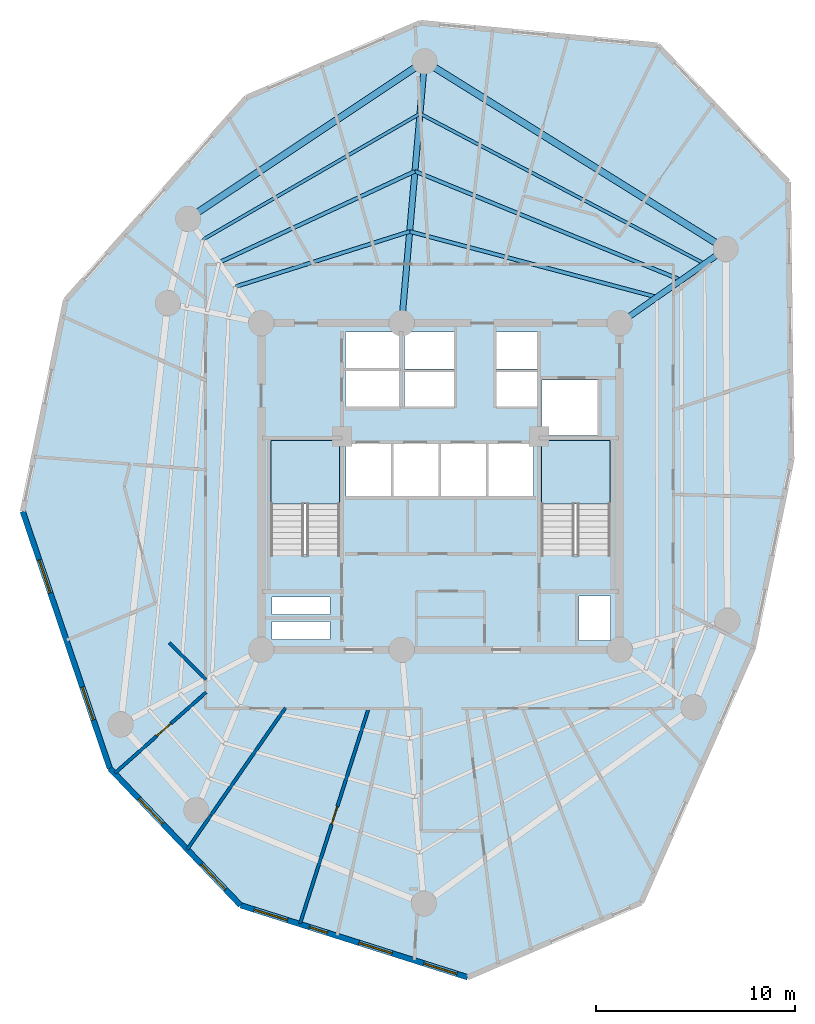
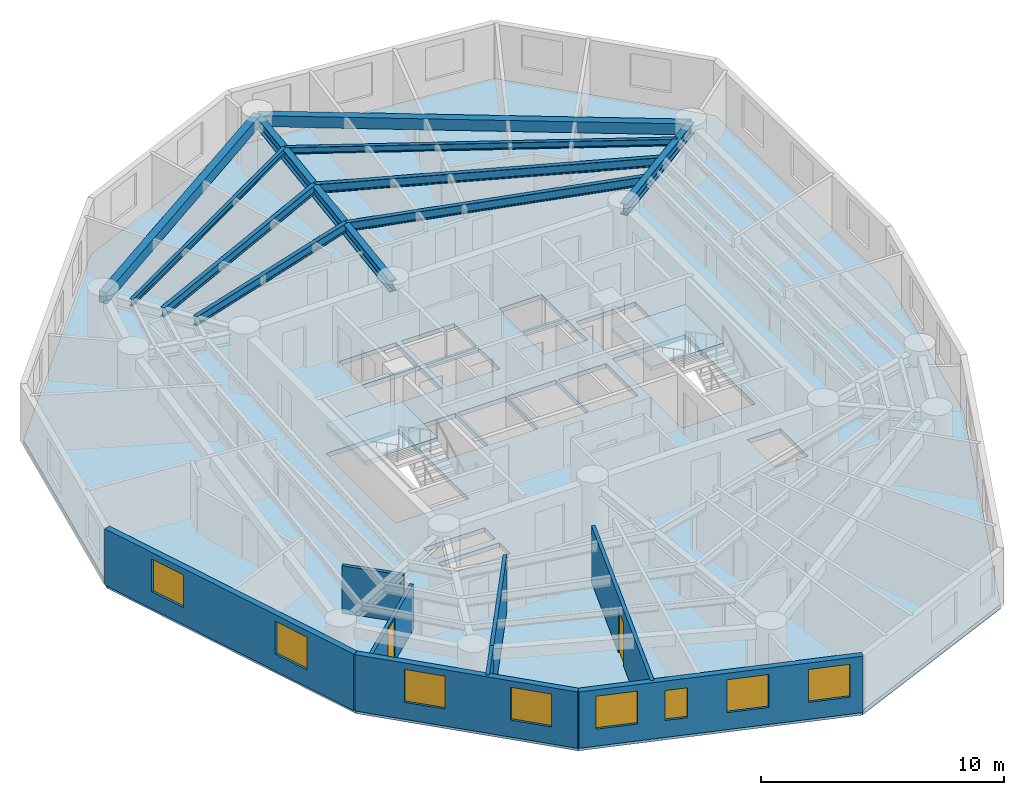
# One storey, part 2 of 8: 10 beams, 8 walls, 8 windows, 3 slabs, 2 doors, 10 openings, 2 elements without a shape of their own.
"""IFC4 building model written with IfcOpenShell, lengths in metres."""

import ifcopenshell
import ifcopenshell.guid

model = None  # the IFC model being written
_history = None  # IfcOwnerHistory: only IFC2X3 demands one
_inside = {}  # id of a spatial element -> (the spatial element, [elements in it])
_under = {}  # id of a project, library or spatial element -> (it, [spatial elements below it])
_declared = {}  # id of a project -> (the project, [libraries it declares])
_typed = {}  # id of a type object -> (the type object, [elements of that type])
_made_of = {}  # id of a material, layer set ... -> (it, [elements and type objects made of it])


def new_model(schema):
    """Start an empty IFC model of exactly this schema.

    Asked for "IFC4X3", IfcOpenShell would pick the latest addendum, in which some entities
    have other attributes; the version numbers below select the first issue.
    IFC2X3 requires an IfcOwnerHistory on every rooted entity: one is made here for all.
    """
    global model, _history
    if schema == "IFC4X3":
        model = ifcopenshell.file(schema_version=(4, 3, 0, 0))
    else:
        model = ifcopenshell.file(schema=schema)
    _inside.clear()
    _under.clear()
    _declared.clear()
    _typed.clear()
    _made_of.clear()
    _history = None
    if model.schema == "IFC2X3":
        org = make("IfcOrganization", Name="unknown")
        user = make(
            "IfcPersonAndOrganization",
            ThePerson=make("IfcPerson", FamilyName="unknown"),
            TheOrganization=org,
        )
        app = make(
            "IfcApplication",
            ApplicationDeveloper=org,
            Version="unknown",
            ApplicationFullName="unknown",
            ApplicationIdentifier="unknown",
        )
        _history = make(
            "IfcOwnerHistory",
            OwningUser=user,
            OwningApplication=app,
            ChangeAction="ADDED",
            CreationDate=0,
        )
    return model


def make(cls, **values):
    """One entity of the class cls with the attributes given. An attribute that is None is left unset."""
    return model.create_entity(
        cls, **{name: value for name, value in values.items() if value is not None}
    )


def rooted(cls, **values):
    """An entity with a GlobalId (a new one), such as an element, a storey or a relation."""
    return make(cls, GlobalId=ifcopenshell.guid.new(), OwnerHistory=_history, **values)


def si_unit(unit_type, name, prefix=None):
    """IfcSIUnit, for example si_unit("LENGTHUNIT", "METRE", prefix="MILLI")."""
    return make("IfcSIUnit", UnitType=unit_type, Prefix=prefix, Name=name)


def assignment(units):
    """IfcUnitAssignment: the units of a project."""
    return None if units is None else make("IfcUnitAssignment", Units=units)


def point(xyz):
    """IfcCartesianPoint."""
    return None if xyz is None else make("IfcCartesianPoint", Coordinates=xyz)


def direction(xyz):
    """IfcDirection."""
    return None if xyz is None else make("IfcDirection", DirectionRatios=xyz)


def frame(location, z_axis=None, x_axis=None):
    """IfcAxis2Placement3D, a coordinate frame: its origin and axes. An axis left out is left unset."""
    return make(
        "IfcAxis2Placement3D",
        Location=point(location),
        Axis=direction(z_axis),
        RefDirection=direction(x_axis),
    )


def frame_2d(location, x_axis=None):
    """IfcAxis2Placement2D, a coordinate frame in the plane: its origin and x axis."""
    return make(
        "IfcAxis2Placement2D", Location=point(location), RefDirection=direction(x_axis)
    )


def origin():
    """The frame at (0, 0, 0) with its axes left unset."""
    return frame((0.0, 0.0, 0.0))


def origin_with_axes():
    """The frame at (0, 0, 0) with the z axis (0, 0, 1) and the x axis (1, 0, 0) written out."""
    return frame((0.0, 0.0, 0.0), z_axis=(0.0, 0.0, 1.0), x_axis=(1.0, 0.0, 0.0))


def origin_2d():
    """The frame at (0, 0) in the plane with its x axis left unset."""
    return frame_2d((0.0, 0.0))


def place(relative_to, where):
    """IfcLocalPlacement: puts the frame where relative to a parent placement (None: the world)."""
    return make(
        "IfcLocalPlacement", PlacementRelTo=relative_to, RelativePlacement=where
    )


def context(
    kind, dimensions, precision=None, world=None, true_north=None, identifier=None
):
    """IfcGeometricRepresentationContext, for example the 3D "Model" context."""
    return make(
        "IfcGeometricRepresentationContext",
        ContextIdentifier=identifier,
        ContextType=kind,
        CoordinateSpaceDimension=dimensions,
        Precision=precision,
        WorldCoordinateSystem=world,
        TrueNorth=true_north,
    )


def subcontext(parent, identifier, kind, view, scale=None):
    """IfcGeometricRepresentationSubContext, for example "Body" below "Model"."""
    return make(
        "IfcGeometricRepresentationSubContext",
        ContextIdentifier=identifier,
        ContextType=kind,
        ParentContext=parent,
        TargetScale=scale,
        TargetView=view,
    )


def project(units=None, contexts=None):
    """IfcProject with its units and contexts."""
    return rooted(
        "IfcProject",
        Name="project",
        RepresentationContexts=contexts,
        UnitsInContext=assignment(units),
    )


def spatial(cls, under=None, at=None, **own):
    """A site, building, storey or space (cls), placed at a placement, below another one or the project."""
    s = rooted(cls, ObjectPlacement=at, **own)
    if under is not None:
        _under.setdefault(under.id(), (under, []))[1].append(s)
    return s


def polyline(points):
    """IfcPolyline through the points."""
    return make("IfcPolyline", Points=[point(p) for p in points])


def profile(cls, at=None, kind="AREA", **sizes):
    """A parametric profile (cls). Its sizes go by their IFC names, for example OverallWidth=200.0."""
    return make(cls, ProfileType=kind, Position=at, **sizes)


def rectangle(**sizes):
    """IfcRectangleProfileDef."""
    return profile("IfcRectangleProfileDef", **sizes)


def i_section(**sizes):
    """IfcIShapeProfileDef."""
    return profile("IfcIShapeProfileDef", **sizes)


def outline(outer, holes=None, kind="AREA"):
    """IfcArbitraryClosedProfileDef: a profile drawn as a closed curve; with holes, ...WithVoids."""
    if holes is None:
        return make("IfcArbitraryClosedProfileDef", ProfileType=kind, OuterCurve=outer)
    return make(
        "IfcArbitraryProfileDefWithVoids",
        ProfileType=kind,
        OuterCurve=outer,
        InnerCurves=holes,
    )


def extrude(swept, where, along, depth):
    """IfcExtrudedAreaSolid: the profile swept, set in the frame where, extruded along a direction by depth."""
    return make(
        "IfcExtrudedAreaSolid",
        SweptArea=swept,
        Position=where,
        ExtrudedDirection=direction(along),
        Depth=depth,
    )


def shape(context_of_items, identifier, shape_type, items):
    """IfcShapeRepresentation: the items that make up one representation, for example the "Body"."""
    return make(
        "IfcShapeRepresentation",
        ContextOfItems=context_of_items,
        RepresentationIdentifier=identifier,
        RepresentationType=shape_type,
        Items=items,
    )


def source(mapping_origin, context_of_items, identifier, shape_type, items):
    """IfcRepresentationMap: a shape defined once, which mapped items show again and again."""
    return make(
        "IfcRepresentationMap",
        MappingOrigin=mapping_origin,
        MappedRepresentation=shape(context_of_items, identifier, shape_type, items),
    )


def transform(
    local_origin,
    x_axis=None,
    y_axis=None,
    z_axis=None,
    scale=None,
    scale2=None,
    scale3=None,
    uniform=True,
):
    """IfcCartesianTransformationOperator3D, or its non-uniform kind. x_axis, y_axis, z_axis: its Axis1, 2, 3."""
    if uniform:
        return make(
            "IfcCartesianTransformationOperator3D",
            Axis1=direction(x_axis),
            Axis2=direction(y_axis),
            LocalOrigin=point(local_origin),
            Scale=scale,
            Axis3=direction(z_axis),
        )
    return make(
        "IfcCartesianTransformationOperator3DnonUniform",
        Axis1=direction(x_axis),
        Axis2=direction(y_axis),
        LocalOrigin=point(local_origin),
        Scale=scale,
        Axis3=direction(z_axis),
        Scale2=scale2,
        Scale3=scale3,
    )


def mapped(mapping_source, mapping_target):
    """IfcMappedItem: shows the shape of a source again, moved by a transform."""
    return make(
        "IfcMappedItem", MappingSource=mapping_source, MappingTarget=mapping_target
    )


def material(Name=None, Category=None):
    """IfcMaterial."""
    return make("IfcMaterial", Name=Name, Category=Category)


def layer(
    of_material, thickness, ventilated=None, Name=None, Category=None, Priority=None
):
    """IfcMaterialLayer: one layer of a wall or slab, of a material (None: an air gap)."""
    return make(
        "IfcMaterialLayer",
        Material=of_material,
        LayerThickness=thickness,
        IsVentilated=ventilated,
        Name=Name,
        Category=Category,
        Priority=Priority,
    )


def layer_set(layers, Name=None):
    """IfcMaterialLayerSet."""
    return make("IfcMaterialLayerSet", MaterialLayers=layers, LayerSetName=Name)


def material_profile(
    of_material, cross_section, Name=None, Category=None, Priority=None
):
    """IfcMaterialProfile: a cross section and its material."""
    return make(
        "IfcMaterialProfile",
        Name=Name,
        Material=of_material,
        Profile=cross_section,
        Priority=Priority,
        Category=Category,
    )


def profile_set(profiles, Name=None, composite=None):
    """IfcMaterialProfileSet."""
    return make(
        "IfcMaterialProfileSet",
        Name=Name,
        MaterialProfiles=profiles,
        CompositeProfile=composite,
    )


def made_of(thing, what):
    """Note that an element or type object is made of a material, layer set ...; save() writes the relation."""
    if what is not None:
        _made_of.setdefault(what.id(), (what, []))[1].append(thing)
    return thing


def type_object(cls, material=None, **own):
    """A type object (cls), such as IfcWallType, which elements share."""
    return made_of(rooted(cls, **own), material)


def element(
    cls,
    number,
    at=None,
    inside=None,
    cuts=None,
    type_object=None,
    material=None,
    context=None,
    identifier="Body",
    shape_type=None,
    held_by="IfcProductDefinitionShape",
    body=None,
    shapes=None,
    **own,
):
    """One element of the class cls, such as IfcWall. Its Tag is "e" and its number.

    at: its placement. inside: the storey or other place that contains it. cuts: it is an
    opening in that element (IfcRelVoidsElement). A single representation is given by context,
    identifier, shape_type and body (its items); several are given by shapes. held_by: the class
    of the entity that holds the representations. save() writes the other relations.
    """
    e = rooted(cls, Tag="e%d" % number, ObjectPlacement=at, **own)
    if body is not None:
        shapes = [shape(context, identifier, shape_type, body)]
    if shapes is not None:
        e.Representation = make(held_by, Representations=shapes)
    if inside is not None:
        _inside.setdefault(inside.id(), (inside, []))[1].append(e)
    if cuts is not None:
        rooted(
            "IfcRelVoidsElement", RelatingBuildingElement=cuts, RelatedOpeningElement=e
        )
    if type_object is not None:
        _typed.setdefault(type_object.id(), (type_object, []))[1].append(e)
    return made_of(e, material)


def fill(opening, filler):
    """IfcRelFillsElement: the door or window that sits in an opening."""
    return rooted(
        "IfcRelFillsElement",
        RelatingOpeningElement=opening,
        RelatedBuildingElement=filler,
    )


def aggregate(whole, parts):
    """IfcRelAggregates: a whole, such as a stair, and the parts it consists of."""
    return rooted("IfcRelAggregates", RelatingObject=whole, RelatedObjects=parts)


def save(model, path):
    """Write the relations noted so far, then the file.

    IfcRelAggregates (storeys below a building ...), IfcRelContainedInSpatialStructure (elements
    in a storey), IfcRelDefinesByType, IfcRelAssociatesMaterial and IfcRelDeclares: one each for
    every whole, place, type object, material and project.
    """
    for whole, parts in _under.values():
        aggregate(whole, parts)
    for where, things in _inside.values():
        rooted(
            "IfcRelContainedInSpatialStructure",
            RelatedElements=things,
            RelatingStructure=where,
        )
    for kind, things in _typed.values():
        rooted("IfcRelDefinesByType", RelatedObjects=things, RelatingType=kind)
    for what, things in _made_of.values():
        rooted("IfcRelAssociatesMaterial", RelatedObjects=things, RelatingMaterial=what)
    for by, libraries in _declared.values():
        rooted("IfcRelDeclares", RelatingContext=by, RelatedDefinitions=libraries)
    model.write(path)


model = new_model("IFC4")

# Units and contexts
model_context = context("Model", 3, precision=1e-05, world=origin(), true_north=direction((0.0, 1.0)))
body_context = subcontext(model_context, "Body", "Model", "MODEL_VIEW")
ifc_project = project(units=[si_unit("LENGTHUNIT", "METRE"), si_unit("AREAUNIT", "SQUARE_METRE"), si_unit("VOLUMEUNIT", "CUBIC_METRE"), si_unit("PLANEANGLEUNIT", "RADIAN"), si_unit("MASSUNIT", "GRAM", prefix="KILO")], contexts=[model_context])

# Site, building, storey
site_placement = place(None, origin())
site = spatial("IfcSite", under=ifc_project, at=site_placement, CompositionType="ELEMENT")
building_placement = place(site_placement, origin())
building = spatial("IfcBuilding", under=site, at=building_placement, Name="Karkom Vertical University and Central Library", CompositionType="ELEMENT")
storey_placement = place(building_placement, frame((0.0, 0.0, 159.60009765625)))
storey = spatial("IfcBuildingStorey", under=building, at=storey_placement, Name="L45", CompositionType="ELEMENT", Elevation=159.60009765625)

# Beams
ifc_material_1 = material(Name="Precast concrete C45/55", Category="concrete")
ifc_material_profile_1 = material_profile(ifc_material_1, rectangle(XDim=0.35009765625, YDim=0.550048828125, at=origin_2d()), Name="SPB-350x550")
ifc_profile_set_1 = profile_set([ifc_material_profile_1], Name="Precast concrete C45/55")
beam_type_1 = type_object("IfcBeamType", Name="STR-BM-SP-2", PredefinedType="SPANDREL", material=ifc_profile_set_1)
shared_shape_1 = source(origin_with_axes(), body_context, "Body", "SweptSolid", [
    extrude(rectangle(XDim=0.35009765625, YDim=0.550048828125, at=origin_2d()), origin(), (0.0, 0.0, 1.0), 17.81884765625),
])
beam_1_placement = place(storey_placement, frame((42.823974609375, 38.427978515625, 2.5498046875), z_axis=(-0.848764070164, 0.528771740167, 0.0), x_axis=(-0.528771740167, -0.848764070164, 0.0)))
element("IfcBeam", 1, at=beam_1_placement, inside=storey, type_object=beam_type_1, Name="Level 45 Perimeter Spandrel Beam 02", PredefinedType="SPANDREL", context=body_context, shape_type="MappedRepresentation", body=[
    mapped(shared_shape_1, transform((0.0, 0.0, 0.0), scale=1.0)),
])
shared_shape_2 = source(origin_with_axes(), body_context, "Body", "SweptSolid", [
    extrude(rectangle(XDim=0.35009765625, YDim=0.550048828125, at=origin_2d()), origin(), (0.0, 0.0, 1.0), 14.26318359375),
])
beam_2_placement = place(storey_placement, frame((27.699951171875, 47.85009765625, 2.5498046875), z_axis=(-0.83227406272, -0.554364396876, 0.0), x_axis=(0.554364396876, -0.83227406272, 0.0)))
element("IfcBeam", 2, at=beam_2_placement, inside=storey, type_object=beam_type_1, Name="Level 45 Perimeter Spandrel Beam 03", PredefinedType="SPANDREL", context=body_context, shape_type="MappedRepresentation", body=[
    mapped(shared_shape_2, transform((0.0, 0.0, 0.0), scale=1.0)),
])
ifc_material_2 = material(Name="Steel S355", Category="steel")
ifc_material_profile_2 = material_profile(ifc_material_2, i_section(OverallWidth=0.18994140625, OverallDepth=0.449951171875, WebThickness=0.009521484375, FlangeThickness=0.0146484375, FilletRadius=0.02099609375, at=origin_2d()), Name="IPE 450")
ifc_profile_set_2 = profile_set([ifc_material_profile_2], Name="Steel S355")
beam_type_2 = type_object("IfcBeamType", Name="STR-BM-SB-IPE450", PredefinedType="BEAM", material=ifc_profile_set_2)
shared_shape_3 = source(origin_with_axes(), body_context, "Body", "SweptSolid", [
    extrude(i_section(OverallWidth=0.18994140625, OverallDepth=0.449951171875, WebThickness=0.009521484375, FlangeThickness=0.0146484375, FilletRadius=0.02099609375, at=origin_2d()), origin(), (0.0, 0.0, 1.0), 12.841552734375),
])
beam_3_placement = place(storey_placement, frame((39.36328125, 36.0048828125, 2.599853515625), z_axis=(-0.96646647674, 0.256792814032, 0.0), x_axis=(-0.256792814032, -0.96646647674, 0.0)))
element("IfcBeam", 3, at=beam_3_placement, inside=storey, type_object=beam_type_2, Name="Level 45 Secondary Composite Floor Beam 1.02", PredefinedType="BEAM", context=body_context, shape_type="MappedRepresentation", body=[
    mapped(shared_shape_3, transform((0.0, 0.0, 0.0), scale=1.0)),
])
shared_shape_4 = source(origin_with_axes(), body_context, "Body", "SweptSolid", [
    extrude(i_section(OverallWidth=0.18994140625, OverallDepth=0.449951171875, WebThickness=0.009521484375, FlangeThickness=0.0146484375, FilletRadius=0.02099609375, at=origin_2d()), origin(), (0.0, 0.0, 1.0), 9.1650390625),
])
beam_4_placement = place(storey_placement, frame((26.952392578125, 39.302490234375, 2.599853515625), z_axis=(-0.953318200449, -0.301967562319, 0.0), x_axis=(0.301967562319, -0.953318200449, 0.0)))
element("IfcBeam", 4, at=beam_4_placement, inside=storey, type_object=beam_type_2, Name="Level 45 Secondary Composite Floor Beam 1.03", PredefinedType="BEAM", context=body_context, shape_type="MappedRepresentation", body=[
    mapped(shared_shape_4, transform((0.0, 0.0, 0.0), scale=1.0)),
])
shared_shape_5 = source(origin_with_axes(), body_context, "Body", "SweptSolid", [
    extrude(i_section(OverallWidth=0.18994140625, OverallDepth=0.449951171875, WebThickness=0.009521484375, FlangeThickness=0.0146484375, FilletRadius=0.02099609375, at=origin_2d()), origin(), (0.0, 0.0, 1.0), 14.4443359375),
])
beam_5_placement = place(storey_placement, frame((40.587890625, 36.8623046875, 2.599853515625), z_axis=(-0.925675328736, 0.378318894281, 0.0), x_axis=(-0.378318894281, -0.925675328736, 0.0)))
element("IfcBeam", 5, at=beam_5_placement, inside=storey, type_object=beam_type_2, Name="Level 45 Secondary Composite Floor Beam 2.02", PredefinedType="BEAM", context=body_context, shape_type="MappedRepresentation", body=[
    mapped(shared_shape_5, transform((0.0, 0.0, 0.0), scale=1.0)),
])
shared_shape_6 = source(origin_with_axes(), body_context, "Body", "SweptSolid", [
    extrude(i_section(OverallWidth=0.18994140625, OverallDepth=0.449951171875, WebThickness=0.009521484375, FlangeThickness=0.0146484375, FilletRadius=0.02099609375, at=origin_2d()), origin(), (0.0, 0.0, 1.0), 10.86181640625),
])
beam_6_placement = place(storey_placement, frame((27.217041015625, 42.326904296875, 2.599853515625), z_axis=(-0.90649871419, -0.422208575436, 0.0), x_axis=(0.422208575436, -0.90649871419, 0.0)))
element("IfcBeam", 6, at=beam_6_placement, inside=storey, type_object=beam_type_2, Name="Level 45 Secondary Composite Floor Beam 2.03", PredefinedType="BEAM", context=body_context, shape_type="MappedRepresentation", body=[
    mapped(shared_shape_6, transform((0.0, 0.0, 0.0), scale=1.0)),
])
ifc_material_profile_3 = material_profile(ifc_material_2, i_section(OverallWidth=0.159912109375, OverallDepth=0.330078125, WebThickness=0.007568359375, FlangeThickness=0.011474609375, FilletRadius=0.01806640625, at=origin_2d()), Name="IPE 330")
ifc_profile_set_3 = profile_set([ifc_material_profile_3], Name="Steel S355")
beam_type_3 = type_object("IfcBeamType", Name="STR-BM-SB-IPE330", PredefinedType="BEAM", material=ifc_profile_set_3)
shared_shape_7 = source(origin_with_axes(), body_context, "Body", "SweptSolid", [
    extrude(i_section(OverallWidth=0.159912109375, OverallDepth=0.330078125, WebThickness=0.007568359375, FlangeThickness=0.011474609375, FilletRadius=0.01806640625, at=origin_2d()), origin(), (0.0, 0.0, 1.0), 16.155517578125),
])
beam_7_placement = place(storey_placement, frame((41.75927734375, 37.682373046875, 2.659912109375), z_axis=(-0.884486447848, 0.466565883423, 0.0), x_axis=(-0.466565883423, -0.884486447848, 0.0)))
element("IfcBeam", 7, at=beam_7_placement, inside=storey, type_object=beam_type_3, Name="Level 45 Secondary Composite Floor Beam 3.02", PredefinedType="BEAM", context=body_context, shape_type="MappedRepresentation", body=[
    mapped(shared_shape_7, transform((0.0, 0.0, 0.0), scale=1.0)),
])
shared_shape_8 = source(origin_with_axes(), body_context, "Body", "SweptSolid", [
    extrude(i_section(OverallWidth=0.159912109375, OverallDepth=0.330078125, WebThickness=0.007568359375, FlangeThickness=0.011474609375, FilletRadius=0.01806640625, at=origin_2d()), origin(), (0.0, 0.0, 1.0), 12.6083984375),
])
beam_8_placement = place(storey_placement, frame((27.469970703125, 45.219970703125, 2.659912109375), z_axis=(-0.865038920595, -0.50170475965, 0.0), x_axis=(0.50170475965, -0.865038920595, 0.0)))
element("IfcBeam", 8, at=beam_8_placement, inside=storey, type_object=beam_type_3, Name="Level 45 Secondary Composite Floor Beam 3.03", PredefinedType="BEAM", context=body_context, shape_type="MappedRepresentation", body=[
    mapped(shared_shape_8, transform((0.0, 0.0, 0.0), scale=1.0)),
])
ifc_material_profile_4 = material_profile(ifc_material_2, i_section(OverallWidth=0.300048828125, OverallDepth=0.550048828125, WebThickness=0.014892578125, FlangeThickness=0.029052734375, FilletRadius=0.027099609375, at=origin_2d()), Name="HE 550 B")
ifc_profile_set_4 = profile_set([ifc_material_profile_4], Name="Steel S355")
beam_type_4 = type_object("IfcBeamType", Name="STR-BM-SB-HE550", PredefinedType="USERDEFINED", material=ifc_profile_set_4)
shared_shape_9 = source(origin_with_axes(), body_context, "Body", "SweptSolid", [
    extrude(i_section(OverallWidth=0.300048828125, OverallDepth=0.550048828125, WebThickness=0.014892578125, FlangeThickness=0.029052734375, FilletRadius=0.027099609375, at=origin_2d()), origin(), (0.0, 0.0, 1.0), 6.49951171875),
])
beam_9_placement = place(storey_placement, frame((37.5, 34.699951171875, 2.5498046875), z_axis=(0.819141909878, 0.573590909517, 0.0), x_axis=(-0.573590909517, 0.819141909878, 0.0)))
element("IfcBeam", 9, at=beam_9_placement, inside=storey, type_object=beam_type_4, Name="Level 45 Radial Frame Girder 02", ObjectType="GIRDER", PredefinedType="USERDEFINED", context=body_context, shape_type="MappedRepresentation", body=[
    mapped(shared_shape_9, transform((0.0, 0.0, 0.0), scale=1.0)),
])
shared_shape_10 = source(origin_with_axes(), body_context, "Body", "SweptSolid", [
    extrude(i_section(OverallWidth=0.300048828125, OverallDepth=0.550048828125, WebThickness=0.014892578125, FlangeThickness=0.029052734375, FilletRadius=0.027099609375, at=origin_2d()), origin(), (0.0, 0.0, 1.0), 13.200439453125),
])
beam_10_placement = place(storey_placement, frame((26.550048828125, 34.699951171875, 2.5498046875), z_axis=(0.087111657164, 0.996198554098, 0.0), x_axis=(-0.996198554098, 0.087111657164, 0.0)))
element("IfcBeam", 10, at=beam_10_placement, inside=storey, type_object=beam_type_4, Name="Level 45 Radial Frame Girder 03", ObjectType="GIRDER", PredefinedType="USERDEFINED", context=body_context, shape_type="MappedRepresentation", body=[
    mapped(shared_shape_10, transform((0.0, 0.0, 0.0), scale=1.0)),
])

# Stair, slab
ifc_material_3 = material(Name="Concrete C45/55", Category="concrete")
stair_type = type_object("IfcStairType", Name="INT-STR-ST-MAIN", PredefinedType="HALF_TURN_STAIR", material=ifc_material_3)
stair_1_placement = place(storey_placement, origin())
stair_1 = element("IfcStair", 11, at=stair_1_placement, inside=storey, type_object=stair_type, Name="Level 45 Tower Protected Exit Stair ST-1", PredefinedType="HALF_TURN_STAIR")
ifc_layer_1 = layer(ifc_material_3, 0.199951171875)
ifc_layer_set_1 = layer_set([ifc_layer_1], Name="Concrete C45/55")
slab_type_1 = type_object("IfcSlabType", Name="INT-SLB-LANDING", PredefinedType="LANDING", material=ifc_layer_set_1)
slab_1_placement = place(storey_placement, frame((0.0, 0.0, 1.324951171875)))
slab_1 = element("IfcSlab", 12, at=slab_1_placement, type_object=slab_type_1, Name="ST-1 landing 1", PredefinedType="LANDING", context=body_context, shape_type="SweptSolid", body=[
    extrude(outline(polyline([(23.43994140625, 25.6298828125), (23.43994140625, 28.820068359375), (19.97998046875, 28.820068359375), (19.97998046875, 25.6298828125), (23.43994140625, 25.6298828125)])), origin(), (0.0, 0.0, 1.0), 0.199951171875),
])
aggregate(stair_1, [slab_1])

stair_2_placement = place(storey_placement, origin())
stair_2 = element("IfcStair", 13, at=stair_2_placement, inside=storey, type_object=stair_type, Name="Level 45 Tower Protected Exit Stair ST-2", PredefinedType="HALF_TURN_STAIR")
slab_2_placement = place(storey_placement, frame((0.0, 0.0, 1.324951171875)))
slab_2 = element("IfcSlab", 14, at=slab_2_placement, type_object=slab_type_1, Name="ST-2 landing 1", PredefinedType="LANDING", context=body_context, shape_type="SweptSolid", body=[
    extrude(outline(polyline([(37.02001953125, 25.6298828125), (37.02001953125, 28.820068359375), (33.56005859375, 28.820068359375), (33.56005859375, 25.6298828125), (37.02001953125, 25.6298828125)])), origin(), (0.0, 0.0, 1.0), 0.199951171875),
])
aggregate(stair_2, [slab_2])

# Slab
ifc_layer_2 = layer(ifc_material_3, 0.22509765625)
ifc_layer_set_2 = layer_set([ifc_layer_2], Name="Concrete C45/55")
slab_type_2 = type_object("IfcSlabType", Name="STR-SLB-FLR-225", PredefinedType="FLOOR", material=ifc_layer_set_2)
slab_3_placement = place(storey_placement, frame((0.0, 0.0, -0.22509765625)))
element("IfcSlab", 15, at=slab_3_placement, inside=storey, type_object=slab_type_2, Name="Level 45 Tower Structural Floor Slab", PredefinedType="FLOOR", context=body_context, shape_type="SweptSolid", body=[
    extrude(outline(polyline([(9.686279296875, 35.86572265625), (7.521484375, 25.244384765625), (11.890625, 12.34912109375), (18.462158203125, 5.466552734375), (29.858642578125, 1.85009765625), (38.580810546875, 5.603515625), (44.19287109375, 18.363037109375), (46.125732421875, 27.84619140625), (45.955078125, 41.7841796875), (39.397705078125, 48.652099609375), (27.494873046875, 49.7841796875), (18.75390625, 46.0224609375), (9.686279296875, 35.86572265625)]), holes=[polyline([(19.97998046875, 23.0849609375), (23.43994140625, 23.0849609375), (23.43994140625, 28.820068359375), (19.97998046875, 28.820068359375), (19.97998046875, 23.0849609375)]), polyline([(33.56005859375, 23.0849609375), (37.02001953125, 23.0849609375), (37.02001953125, 28.820068359375), (33.56005859375, 28.820068359375), (33.56005859375, 23.0849609375)]), polyline([(23.75, 26.0), (26.030029296875, 26.0), (26.030029296875, 28.64990234375), (23.75, 28.64990234375), (23.75, 26.0)]), polyline([(26.1298828125, 26.0), (28.409912109375, 26.0), (28.409912109375, 28.64990234375), (26.1298828125, 28.64990234375), (26.1298828125, 26.0)]), polyline([(28.510009765625, 26.0), (30.7900390625, 26.0), (30.7900390625, 28.64990234375), (28.510009765625, 28.64990234375), (28.510009765625, 26.0)]), polyline([(30.889892578125, 26.0), (33.169921875, 26.0), (33.169921875, 28.64990234375), (30.889892578125, 28.64990234375), (30.889892578125, 26.0)]), polyline([(26.679931640625, 30.5), (29.199951171875, 30.5), (29.199951171875, 32.25), (26.679931640625, 32.25), (26.679931640625, 30.5)]), polyline([(26.679931640625, 32.39990234375), (29.199951171875, 32.39990234375), (29.199951171875, 34.25), (26.679931640625, 34.25), (26.679931640625, 32.39990234375)]), polyline([(31.300048828125, 30.5), (33.35009765625, 30.5), (33.35009765625, 32.25), (31.300048828125, 32.25), (31.300048828125, 30.5)]), polyline([(31.300048828125, 32.39990234375), (33.35009765625, 32.39990234375), (33.35009765625, 34.25), (31.300048828125, 34.25), (31.300048828125, 32.39990234375)]), polyline([(23.719970703125, 30.47998046875), (26.429931640625, 30.47998046875), (26.429931640625, 32.320068359375), (23.719970703125, 32.320068359375), (23.719970703125, 30.47998046875)]), polyline([(23.719970703125, 32.419921875), (26.429931640625, 32.419921875), (26.429931640625, 34.260009765625), (23.719970703125, 34.260009765625), (23.719970703125, 32.419921875)]), polyline([(33.60009765625, 29.050048828125), (36.39990234375, 29.050048828125), (36.39990234375, 31.85009765625), (33.60009765625, 31.85009765625), (33.60009765625, 29.050048828125)]), polyline([(20.050048828125, 18.820068359375), (22.949951171875, 18.820068359375), (22.949951171875, 19.719970703125), (20.050048828125, 19.719970703125), (20.050048828125, 18.820068359375)]), polyline([(20.050048828125, 20.06005859375), (22.949951171875, 20.06005859375), (22.949951171875, 20.9599609375), (20.050048828125, 20.9599609375), (20.050048828125, 20.06005859375)]), polyline([(35.4599609375, 18.760009765625), (37.0400390625, 18.760009765625), (37.0400390625, 21.010009765625), (35.4599609375, 21.010009765625), (35.4599609375, 18.760009765625)])]), origin(), (0.0, 0.0, 1.0), 0.22509765625),
])

# Wall, openings, windows
ifc_material_4 = material(Name="Brick-faced precast concrete C45/55", Category="masonry")
ifc_layer_3 = layer(ifc_material_4, 0.280029296875)
ifc_layer_set_3 = layer_set([ifc_layer_3], Name="Brick-faced precast concrete C45/55")
wall_type_1 = type_object("IfcWallType", Name="ENV-WL-BRK-280", PredefinedType="SOLIDWALL", material=ifc_layer_set_3)
wall_1_placement = place(storey_placement, frame((7.521484375, 25.244384765625, 0.0), z_axis=(0.0, 0.0, 1.0), x_axis=(0.320898617833, -0.947113550253, 0.0)))
wall_1 = element("IfcWall", 16, at=wall_1_placement, inside=storey, type_object=wall_type_1, Name="Level 45 Brick-Faced Precast Facade Wall 02", PredefinedType="SOLIDWALL", context=body_context, shape_type="SweptSolid", body=[
    extrude(rectangle(XDim=13.615234375, YDim=0.280029296875, at=frame_2d((6.8076171875, 0.0))), origin(), (0.0, 0.0, 1.0), 2.824951171875),
])
opening_1_placement = place(wall_1_placement, frame((2.56591796875, 0.0, 0.85009765625)))
opening_1 = element("IfcOpeningElement", 17, at=opening_1_placement, cuts=wall_1, Name="Opening WN-08", PredefinedType="OPENING", context=body_context, shape_type="SweptSolid", body=[
    extrude(rectangle(XDim=1.75, YDim=1.64990234375, at=frame_2d((0.875, 0.824951171875))), frame((0.0, 0.14990234375, 0.0), z_axis=(0.0, -1.0, 0.0), x_axis=(1.0, 0.0, 0.0)), (0.0, 0.0, 1.0), 0.300048828125),
])
opening_2_placement = place(wall_1_placement, frame((9.3134765625, 0.0, 0.85009765625)))
opening_2 = element("IfcOpeningElement", 18, at=opening_2_placement, cuts=wall_1, Name="Opening WN-08", PredefinedType="OPENING", context=body_context, shape_type="SweptSolid", body=[
    extrude(rectangle(XDim=1.75, YDim=1.64990234375, at=frame_2d((0.875, 0.824951171875))), frame((0.0, 0.14990234375, 0.0), z_axis=(0.0, -1.0, 0.0), x_axis=(1.0, 0.0, 0.0)), (0.0, 0.0, 1.0), 0.300048828125),
])
ifc_material_5 = material(Name="Aluminium thermal-break frame with solar-control IGU", Category="aluminium")
window_type_1 = type_object("IfcWindowType", Name="ENV-WIN-WN-08", PartitioningType="SINGLE_PANEL", PredefinedType="WINDOW", material=ifc_material_5)
shared_shape_11 = source(origin_with_axes(), body_context, "Body", "SweptSolid", [
    extrude(rectangle(XDim=1.75, YDim=1.64990234375, at=frame_2d((0.875, 0.824951171875))), frame((0.0, 0.030029296875, 0.0), z_axis=(0.0, -1.0, 0.0), x_axis=(1.0, 0.0, 0.0)), (0.0, 0.0, 1.0), 0.06005859375),
])
window_1_placement = place(opening_1_placement, origin())
window_1 = element("IfcWindow", 19, at=window_1_placement, inside=storey, type_object=window_type_1, Name="Level 45 Punched Window 2.1", OverallHeight=1.64990234375, OverallWidth=1.75, PartitioningType="SINGLE_PANEL", PredefinedType="WINDOW", context=body_context, shape_type="MappedRepresentation", body=[
    mapped(shared_shape_11, transform((0.0, 0.0, 0.0), scale=1.0)),
])
fill(opening_1, window_1)
window_2_placement = place(opening_2_placement, origin())
window_2 = element("IfcWindow", 20, at=window_2_placement, inside=storey, type_object=window_type_1, Name="Level 45 Punched Window 2.2", OverallHeight=1.64990234375, OverallWidth=1.75, PartitioningType="SINGLE_PANEL", PredefinedType="WINDOW", context=body_context, shape_type="MappedRepresentation", body=[
    mapped(shared_shape_11, transform((0.0, 0.0, 0.0), scale=1.0)),
])
fill(opening_2, window_2)

wall_2_placement = place(storey_placement, frame((11.890625, 12.34912109375, 0.0), z_axis=(0.0, 0.0, 1.0), x_axis=(0.690575201168, -0.723260597248, 0.0)))
wall_2 = element("IfcWall", 21, at=wall_2_placement, inside=storey, type_object=wall_type_1, Name="Level 45 Brick-Faced Precast Facade Wall 03", PredefinedType="SOLIDWALL", context=body_context, shape_type="SweptSolid", body=[
    extrude(rectangle(XDim=9.51611328125, YDim=0.280029296875, at=frame_2d((4.758056640625, 0.0))), origin(), (0.0, 0.0, 1.0), 2.824951171875),
])
opening_3_placement = place(wall_2_placement, frame((2.11279296875, 0.0, 0.85009765625)))
opening_3 = element("IfcOpeningElement", 22, at=opening_3_placement, cuts=wall_2, Name="Opening WN-08", PredefinedType="OPENING", context=body_context, shape_type="SweptSolid", body=[
    extrude(rectangle(XDim=1.75, YDim=1.64990234375, at=frame_2d((0.875, 0.824951171875))), frame((0.0, 0.14990234375, 0.0), z_axis=(0.0, -1.0, 0.0), x_axis=(1.0, 0.0, 0.0)), (0.0, 0.0, 1.0), 0.300048828125),
])
opening_4_placement = place(wall_2_placement, frame((6.6630859375, 0.0, 0.85009765625)))
opening_4 = element("IfcOpeningElement", 23, at=opening_4_placement, cuts=wall_2, Name="Opening WN-08", PredefinedType="OPENING", context=body_context, shape_type="SweptSolid", body=[
    extrude(rectangle(XDim=1.75, YDim=1.64990234375, at=frame_2d((0.875, 0.824951171875))), frame((0.0, 0.14990234375, 0.0), z_axis=(0.0, -1.0, 0.0), x_axis=(1.0, 0.0, 0.0)), (0.0, 0.0, 1.0), 0.300048828125),
])
window_3_placement = place(opening_3_placement, origin())
window_3 = element("IfcWindow", 24, at=window_3_placement, inside=storey, type_object=window_type_1, Name="Level 45 Punched Window 3.1", OverallHeight=1.64990234375, OverallWidth=1.75, PartitioningType="SINGLE_PANEL", PredefinedType="WINDOW", context=body_context, shape_type="MappedRepresentation", body=[
    mapped(shared_shape_11, transform((0.0, 0.0, 0.0), scale=1.0)),
])
fill(opening_3, window_3)
window_4_placement = place(opening_4_placement, origin())
window_4 = element("IfcWindow", 25, at=window_4_placement, inside=storey, type_object=window_type_1, Name="Level 45 Punched Window 3.2", OverallHeight=1.64990234375, OverallWidth=1.75, PartitioningType="SINGLE_PANEL", PredefinedType="WINDOW", context=body_context, shape_type="MappedRepresentation", body=[
    mapped(shared_shape_11, transform((0.0, 0.0, 0.0), scale=1.0)),
])
fill(opening_4, window_4)

wall_3_placement = place(storey_placement, frame((18.462158203125, 5.466552734375, 0.0), z_axis=(0.0, 0.0, 1.0), x_axis=(0.953159873483, -0.302466949569, 0.0)))
wall_3 = element("IfcWall", 26, at=wall_3_placement, inside=storey, type_object=wall_type_1, Name="Level 45 Brick-Faced Precast Facade Wall 04", PredefinedType="SOLIDWALL", context=body_context, shape_type="SweptSolid", body=[
    extrude(rectangle(XDim=11.95654296875, YDim=0.280029296875, at=frame_2d((5.978271484375, 0.0))), origin(), (0.0, 0.0, 1.0), 2.824951171875),
])
opening_5_placement = place(wall_3_placement, frame((0.716796875, 0.0, 0.85009765625)))
opening_5 = element("IfcOpeningElement", 27, at=opening_5_placement, cuts=wall_3, Name="Opening WN-08", PredefinedType="OPENING", context=body_context, shape_type="SweptSolid", body=[
    extrude(rectangle(XDim=1.75, YDim=1.64990234375, at=frame_2d((0.875, 0.824951171875))), frame((0.0, 0.14990234375, 0.0), z_axis=(0.0, -1.0, 0.0), x_axis=(1.0, 0.0, 0.0)), (0.0, 0.0, 1.0), 0.300048828125),
])
opening_6_placement = place(wall_3_placement, frame((3.624267578125, 0.0, 0.85009765625)))
opening_6 = element("IfcOpeningElement", 28, at=opening_6_placement, cuts=wall_3, Name="Opening WN-12", PredefinedType="OPENING", context=body_context, shape_type="SweptSolid", body=[
    extrude(rectangle(XDim=0.949951171875, YDim=1.5, at=frame_2d((0.47509765625, 0.75))), frame((0.0, 0.14990234375, 0.0), z_axis=(0.0, -1.0, 0.0), x_axis=(1.0, 0.0, 0.0)), (0.0, 0.0, 1.0), 0.300048828125),
])
opening_7_placement = place(wall_3_placement, frame((6.235107421875, 0.0, 0.85009765625)))
opening_7 = element("IfcOpeningElement", 29, at=opening_7_placement, cuts=wall_3, Name="Opening WN-08", PredefinedType="OPENING", context=body_context, shape_type="SweptSolid", body=[
    extrude(rectangle(XDim=1.75, YDim=1.64990234375, at=frame_2d((0.875, 0.824951171875))), frame((0.0, 0.14990234375, 0.0), z_axis=(0.0, -1.0, 0.0), x_axis=(1.0, 0.0, 0.0)), (0.0, 0.0, 1.0), 0.300048828125),
])
opening_8_placement = place(wall_3_placement, frame((9.64599609375, 0.0, 0.85009765625)))
opening_8 = element("IfcOpeningElement", 30, at=opening_8_placement, cuts=wall_3, Name="Opening WN-08", PredefinedType="OPENING", context=body_context, shape_type="SweptSolid", body=[
    extrude(rectangle(XDim=1.75, YDim=1.64990234375, at=frame_2d((0.875, 0.824951171875))), frame((0.0, 0.14990234375, 0.0), z_axis=(0.0, -1.0, 0.0), x_axis=(1.0, 0.0, 0.0)), (0.0, 0.0, 1.0), 0.300048828125),
])
window_type_2 = type_object("IfcWindowType", Name="ENV-WIN-WN-12", PartitioningType="SINGLE_PANEL", PredefinedType="WINDOW", material=ifc_material_5)
shared_shape_12 = source(origin_with_axes(), body_context, "Body", "SweptSolid", [
    extrude(rectangle(XDim=0.949951171875, YDim=1.5, at=frame_2d((0.47509765625, 0.75))), frame((0.0, 0.030029296875, 0.0), z_axis=(0.0, -1.0, 0.0), x_axis=(1.0, 0.0, 0.0)), (0.0, 0.0, 1.0), 0.06005859375),
])
window_5_placement = place(opening_6_placement, origin())
window_5 = element("IfcWindow", 31, at=window_5_placement, inside=storey, type_object=window_type_2, Name="Level 45 Punched Window 4.2", OverallHeight=1.5, OverallWidth=0.949951171875, PartitioningType="SINGLE_PANEL", PredefinedType="WINDOW", context=body_context, shape_type="MappedRepresentation", body=[
    mapped(shared_shape_12, transform((0.0, 0.0, 0.0), scale=1.0)),
])
fill(opening_6, window_5)
window_6_placement = place(opening_5_placement, origin())
window_6 = element("IfcWindow", 32, at=window_6_placement, inside=storey, type_object=window_type_1, Name="Level 45 Punched Window 4.1", OverallHeight=1.64990234375, OverallWidth=1.75, PartitioningType="SINGLE_PANEL", PredefinedType="WINDOW", context=body_context, shape_type="MappedRepresentation", body=[
    mapped(shared_shape_11, transform((0.0, 0.0, 0.0), scale=1.0)),
])
fill(opening_5, window_6)
window_7_placement = place(opening_7_placement, origin())
window_7 = element("IfcWindow", 33, at=window_7_placement, inside=storey, type_object=window_type_1, Name="Level 45 Punched Window 4.3", OverallHeight=1.64990234375, OverallWidth=1.75, PartitioningType="SINGLE_PANEL", PredefinedType="WINDOW", context=body_context, shape_type="MappedRepresentation", body=[
    mapped(shared_shape_11, transform((0.0, 0.0, 0.0), scale=1.0)),
])
fill(opening_7, window_7)
window_8_placement = place(opening_8_placement, origin())
window_8 = element("IfcWindow", 34, at=window_8_placement, inside=storey, type_object=window_type_1, Name="Level 45 Punched Window 4.4", OverallHeight=1.64990234375, OverallWidth=1.75, PartitioningType="SINGLE_PANEL", PredefinedType="WINDOW", context=body_context, shape_type="MappedRepresentation", body=[
    mapped(shared_shape_11, transform((0.0, 0.0, 0.0), scale=1.0)),
])
fill(opening_8, window_8)

# Wall, opening, door
ifc_material_6 = material(Name="Insulated metal-stud drywall 160mm", Category="gypsum")
ifc_layer_4 = layer(ifc_material_6, 0.159912109375)
ifc_layer_set_4 = layer_set([ifc_layer_4], Name="Insulated metal-stud drywall 160mm")
wall_type_2 = type_object("IfcWallType", Name="INT-WL-COR-160", PredefinedType="PARTITIONING", material=ifc_layer_set_4)
wall_4_placement = place(storey_placement, frame((24.896240234375, 15.378662109375, 0.0), z_axis=(0.0, 0.0, 1.0), x_axis=(-0.303365857541, -0.952874155636, 0.0)))
wall_4 = element("IfcWall", 35, at=wall_4_placement, inside=storey, type_object=wall_type_2, Name="Level 45 Interior Partition Wall L45-PW-010", PredefinedType="PARTITIONING", context=body_context, shape_type="SweptSolid", body=[
    extrude(rectangle(XDim=11.369140625, YDim=0.159912109375, at=frame_2d((5.6845703125, 0.0))), origin(), (0.0, 0.0, 1.0), 2.824951171875),
])
opening_9_placement = place(wall_4_placement, frame((5.19189453125, 0.0, 0.0)))
opening_9 = element("IfcOpeningElement", 36, at=opening_9_placement, cuts=wall_4, Name="Opening D-RM1", PredefinedType="OPENING", context=body_context, shape_type="SweptSolid", body=[
    extrude(rectangle(XDim=0.949951171875, YDim=2.14990234375, at=frame_2d((0.47509765625, 1.074951171875))), frame((0.0, 0.08984375, 0.0), z_axis=(0.0, -1.0, 0.0), x_axis=(1.0, 0.0, 0.0)), (0.0, 0.0, 1.0), 0.179931640625),
])
ifc_material_7 = material(Name="Solid-core oak veneer door", Category="wood")
door_type = type_object("IfcDoorType", Name="INT-DR-RM1", OperationType="NOTDEFINED", PredefinedType="DOOR", material=ifc_material_7)
shared_shape_13 = source(origin_with_axes(), body_context, "Body", "SweptSolid", [
    extrude(rectangle(XDim=0.949951171875, YDim=2.14990234375, at=frame_2d((0.47509765625, 1.074951171875))), frame((0.0, 0.02490234375, 0.0), z_axis=(0.0, -1.0, 0.0), x_axis=(1.0, 0.0, 0.0)), (0.0, 0.0, 1.0), 0.050048828125),
])
door_1_placement = place(opening_9_placement, origin())
door_1 = element("IfcDoor", 37, at=door_1_placement, inside=storey, type_object=door_type, Name="Level 45 Room Entry Door 050", OperationType="SINGLE_SWING_LEFT", OverallHeight=2.14990234375, OverallWidth=0.949951171875, PredefinedType="DOOR", context=body_context, shape_type="MappedRepresentation", body=[
    mapped(shared_shape_13, transform((0.0, 0.0, 0.0), scale=1.0)),
])
fill(opening_9, door_1)

# Wall
wall_5_placement = place(storey_placement, frame((20.71533203125, 15.386962890625, 0.0), z_axis=(0.0, 0.0, 1.0), x_axis=(-0.570120570023, -0.821561035856, 0.0)))
element("IfcWall", 38, at=wall_5_placement, inside=storey, type_object=wall_type_2, Name="Level 45 Interior Partition Wall L45-PW-008", PredefinedType="PARTITIONING", context=body_context, shape_type="SweptSolid", body=[
    extrude(rectangle(XDim=6.550048828125, YDim=0.159912109375, at=frame_2d((3.27490234375, 0.0))), origin(), (0.0, 0.0, 1.0), 2.824951171875),
])

# Wall, opening, door
wall_6_placement = place(storey_placement, frame((16.733642578125, 16.164306640625, 0.0), z_axis=(0.0, 0.0, 1.0), x_axis=(-0.748786255942, -0.662811544039, 0.0)))
wall_6 = element("IfcWall", 39, at=wall_6_placement, inside=storey, type_object=wall_type_2, Name="Level 45 Interior Partition Wall L45-PW-007", PredefinedType="PARTITIONING", context=body_context, shape_type="SweptSolid", body=[
    extrude(rectangle(XDim=6.11669921875, YDim=0.159912109375, at=frame_2d((3.058349609375, 0.0))), origin(), (0.0, 0.0, 1.0), 2.27490234375),
])
opening_10_placement = place(wall_6_placement, frame((2.368408203125, 0.0, 0.0)))
opening_10 = element("IfcOpeningElement", 40, at=opening_10_placement, cuts=wall_6, Name="Opening D-RM1", PredefinedType="OPENING", context=body_context, shape_type="SweptSolid", body=[
    extrude(rectangle(XDim=0.949951171875, YDim=2.14990234375, at=frame_2d((0.47509765625, 1.074951171875))), frame((0.0, 0.08984375, 0.0), z_axis=(0.0, -1.0, 0.0), x_axis=(1.0, 0.0, 0.0)), (0.0, 0.0, 1.0), 0.179931640625),
])
door_2_placement = place(opening_10_placement, origin())
door_2 = element("IfcDoor", 41, at=door_2_placement, inside=storey, type_object=door_type, Name="Level 45 Room Entry Door 020", OperationType="SINGLE_SWING_RIGHT", OverallHeight=2.14990234375, OverallWidth=0.949951171875, PredefinedType="DOOR", context=body_context, shape_type="MappedRepresentation", body=[
    mapped(shared_shape_13, transform((0.0, 0.0, 0.0), scale=1.0)),
])
fill(opening_10, door_2)

# Walls
wall_7_placement = place(storey_placement, frame((16.731689453125, 16.798095703125, 0.0), z_axis=(0.0, 0.0, 1.0), x_axis=(-0.707106781187, 0.707106781187, 0.0)))
element("IfcWall", 42, at=wall_7_placement, inside=storey, type_object=wall_type_2, Name="Level 45 Interior Partition Wall L45-PW-005", PredefinedType="PARTITIONING", context=body_context, shape_type="SweptSolid", body=[
    extrude(rectangle(XDim=2.606689453125, YDim=0.159912109375, at=frame_2d((1.30322265625, 0.0))), origin(), (0.0, 0.0, 1.0), 2.375),
])
wall_8_placement = place(storey_placement, frame((16.97802734375, 10.00146484375, 0.0), z_axis=(0.0, 0.0, 1.0), x_axis=(-0.570019137134, -0.821631415722, 0.0)))
element("IfcWall", 43, at=wall_8_placement, inside=storey, type_object=wall_type_2, Name="Level 45 Interior Partition Wall L45-PW-009", PredefinedType="PARTITIONING", context=body_context, shape_type="SweptSolid", body=[
    extrude(rectangle(XDim=2.1015625, YDim=0.159912109375, at=frame_2d((1.05078125, 0.0))), origin(), (0.0, 0.0, 1.0), 2.824951171875),
])

save(model, "model.ifc")
